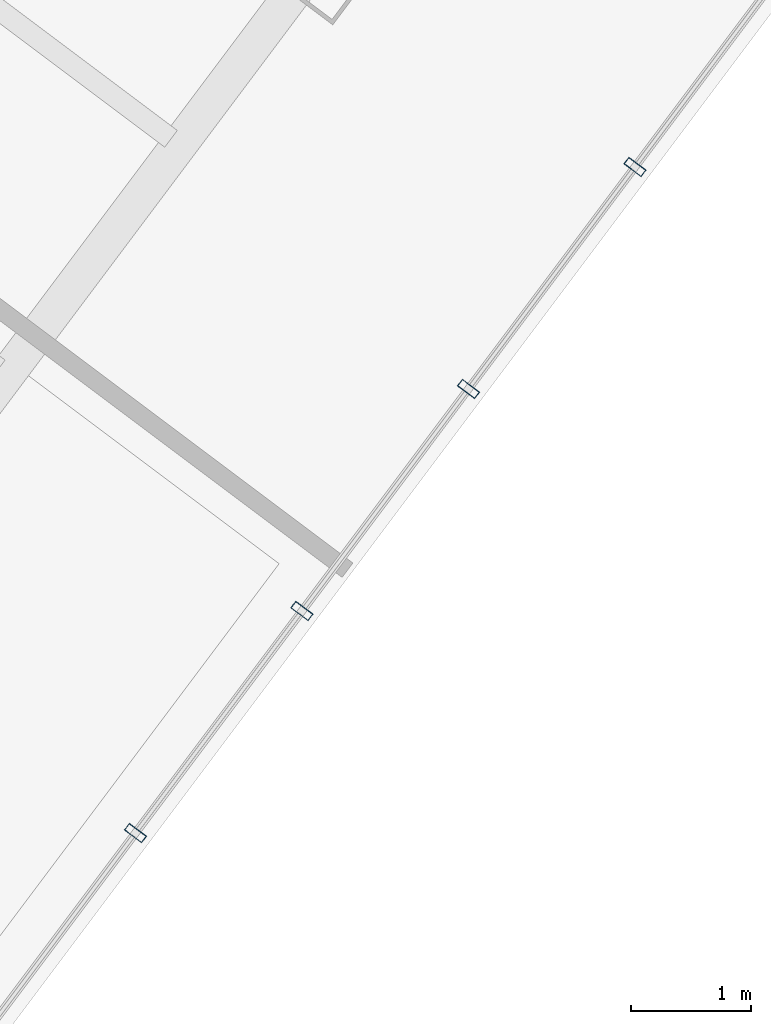
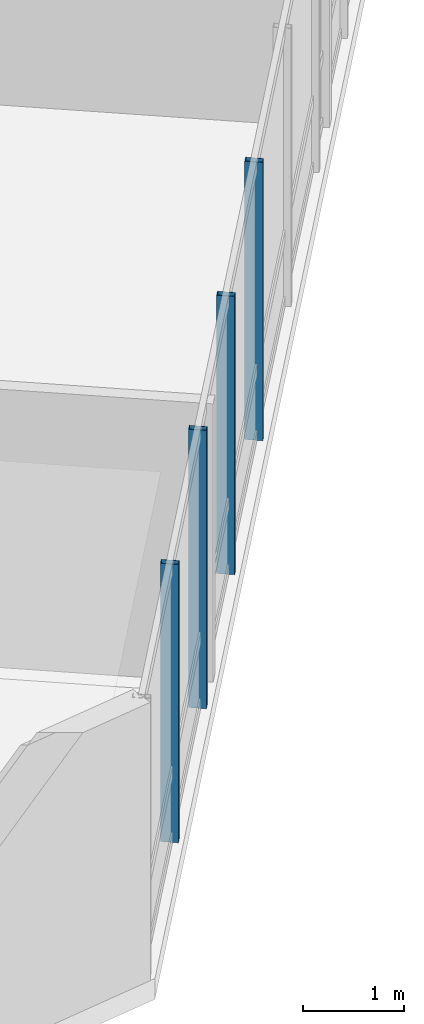
# One storey, part 8 of 29: 4 members, 1 element without a shape of its own.
"""IFC4 building model written with IfcOpenShell, lengths in metres."""

from ifc_helpers import new_model, si_unit, direction, frame, origin, origin_2d, place, context, subcontext, project, spatial, hollow_rectangle, extrude, material, layer, layer_set, material_profile, profile_set, type_object, element, aggregate, save


model = new_model("IFC4")

# Units and contexts
model_context = context("Model", 3, precision=1e-05, world=origin(), true_north=direction((0.0, 1.0)))
body_context = subcontext(model_context, "Body", "Model", "MODEL_VIEW")
ifc_project = project(units=[si_unit("LENGTHUNIT", "METRE"), si_unit("AREAUNIT", "SQUARE_METRE"), si_unit("VOLUMEUNIT", "CUBIC_METRE"), si_unit("PLANEANGLEUNIT", "RADIAN"), si_unit("MASSUNIT", "GRAM", prefix="KILO")], contexts=[model_context])

# Site, building, storey
site_placement = place(None, origin())
site = spatial("IfcSite", under=ifc_project, at=site_placement, CompositionType="ELEMENT")
building_placement = place(site_placement, origin())
building = spatial("IfcBuilding", under=site, at=building_placement, Name="Hatsunagi Terrace Concourse", CompositionType="ELEMENT")
storey_placement = place(building_placement, frame((0.0, 0.0, 119.25)))
storey = spatial("IfcBuildingStorey", under=building, at=storey_placement, Name="L31", CompositionType="ELEMENT", Elevation=119.25)

# Curtain wall, members
ifc_material_1 = material(Name="Anodised Aluminium Alloy 6063-T5", Category="aluminium")
ifc_layer = layer(ifc_material_1, 0.199951171875)
ifc_layer_set = layer_set([ifc_layer], Name="OfficeZone1_CW03")
curtain_wall_type = type_object("IfcCurtainWallType", Name="OfficeZone1_CW03", PredefinedType="NOTDEFINED", material=ifc_layer_set)
curtain_wall_placement = place(storey_placement, origin())
curtain_wall = element("IfcCurtainWall", 1, at=curtain_wall_placement, inside=storey, type_object=curtain_wall_type, Name="Unitised Curtain Wall CW-03 CW-L31-03", PredefinedType="NOTDEFINED")
ifc_material_2 = material(Name="Anodised Aluminium Alloy 6063-T5", Category="aluminium")
ifc_material_profile = material_profile(ifc_material_2, hollow_rectangle(XDim=0.070068359375, YDim=0.179931640625, WallThickness=0.00390625, at=origin_2d()), Name="ALU-MUL-180x70x4")
ifc_profile_set = profile_set([ifc_material_profile], Name="Anodised Aluminium Alloy 6063-T5")
member_type = type_object("IfcMemberType", Name="CurtainWallMullion_180x70", PredefinedType="MULLION", material=ifc_profile_set)
member_1_placement = place(storey_placement, frame((62.132080078125, 10.3759765625, 0.0), z_axis=(0.0, 0.0, 1.0), x_axis=(-0.599969314634, -0.800023013105, 0.0)))
member_1 = element("IfcMember", 2, at=member_1_placement, type_object=member_type, Name="Curtain Wall Mullion MUL-02", PredefinedType="MULLION", context=body_context, shape_type="SweptSolid", body=[
    extrude(hollow_rectangle(XDim=0.070068359375, YDim=0.179931640625, WallThickness=0.00390625, at=origin_2d()), origin(), (0.0, 0.0, 1.0), 3.35009765625),
])
member_2_placement = place(storey_placement, frame((60.739990234375, 8.51904296875, 0.0), z_axis=(0.0, 0.0, 1.0), x_axis=(-0.599969314634, -0.800023013105, 0.0)))
member_2 = element("IfcMember", 3, at=member_2_placement, type_object=member_type, Name="Curtain Wall Mullion MUL-02", PredefinedType="MULLION", context=body_context, shape_type="SweptSolid", body=[
    extrude(hollow_rectangle(XDim=0.070068359375, YDim=0.179931640625, WallThickness=0.00390625, at=origin_2d()), origin(), (0.0, 0.0, 1.0), 3.35009765625),
])
member_3_placement = place(storey_placement, frame((59.346923828125, 6.6630859375, 0.0), z_axis=(0.0, 0.0, 1.0), x_axis=(-0.599969314634, -0.800023013105, 0.0)))
member_3 = element("IfcMember", 4, at=member_3_placement, type_object=member_type, Name="Curtain Wall Mullion MUL-02", PredefinedType="MULLION", context=body_context, shape_type="SweptSolid", body=[
    extrude(hollow_rectangle(XDim=0.070068359375, YDim=0.179931640625, WallThickness=0.00390625, at=origin_2d()), origin(), (0.0, 0.0, 1.0), 3.35009765625),
])
member_4_placement = place(storey_placement, frame((57.955078125, 4.805908203125, 0.0), z_axis=(0.0, 0.0, 1.0), x_axis=(-0.599969314634, -0.800023013105, 0.0)))
member_4 = element("IfcMember", 5, at=member_4_placement, type_object=member_type, Name="Curtain Wall Mullion MUL-02", PredefinedType="MULLION", context=body_context, shape_type="SweptSolid", body=[
    extrude(hollow_rectangle(XDim=0.070068359375, YDim=0.179931640625, WallThickness=0.00390625, at=origin_2d()), origin(), (0.0, 0.0, 1.0), 3.35009765625),
])
aggregate(curtain_wall, [member_1, member_2, member_3, member_4])

save(model, "model.ifc")
